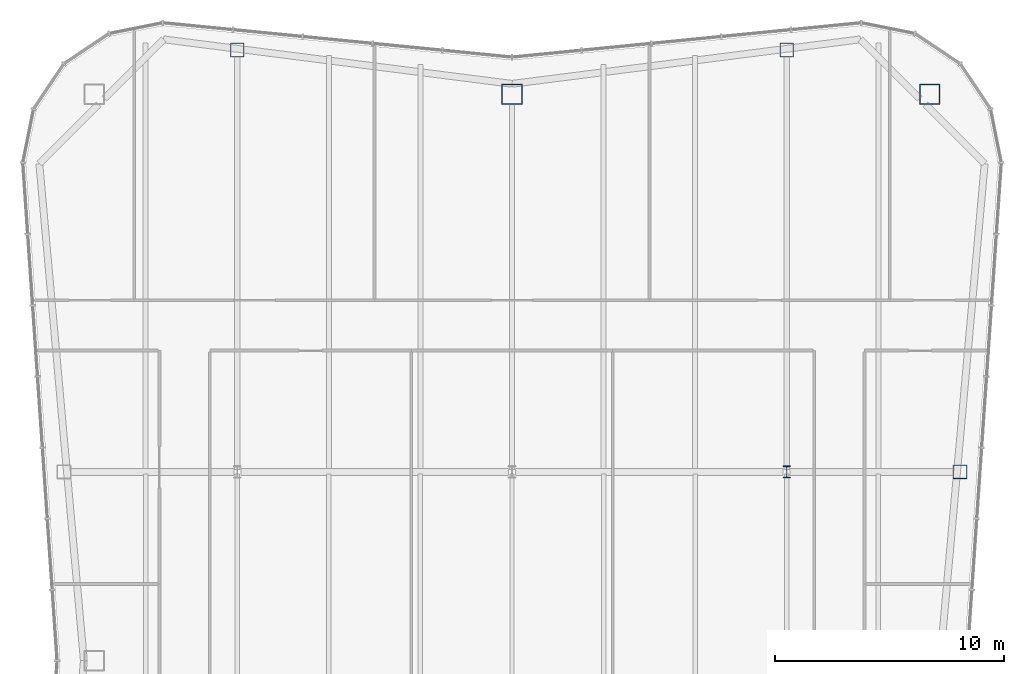
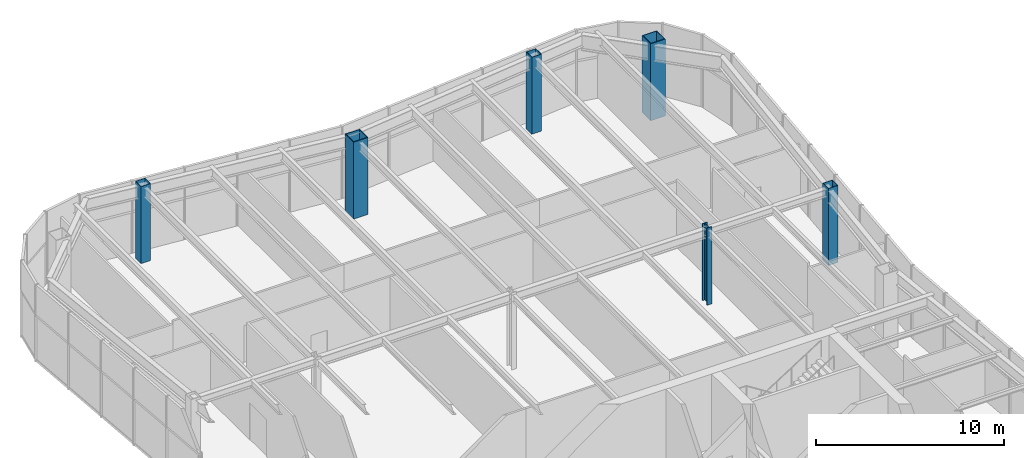
# One storey, part 2 of 13: 6 columns.
"""IFC4 building model written with IfcOpenShell, lengths in metres."""

from ifc_helpers import new_model, si_unit, direction, frame, origin, origin_2d, place, context, subcontext, project, spatial, hollow_rectangle, i_section, extrude, material, material_profile, profile_set, type_object, element, save


model = new_model("IFC4")

# Units and contexts
model_context = context("Model", 3, precision=1e-05, world=origin(), true_north=direction((0.0, 1.0)))
body_context = subcontext(model_context, "Body", "Model", "MODEL_VIEW")
ifc_project = project(units=[si_unit("LENGTHUNIT", "METRE"), si_unit("AREAUNIT", "SQUARE_METRE"), si_unit("VOLUMEUNIT", "CUBIC_METRE"), si_unit("PLANEANGLEUNIT", "RADIAN"), si_unit("MASSUNIT", "GRAM", prefix="KILO")], contexts=[model_context])

# Site, building, storey
site_placement = place(None, origin())
site = spatial("IfcSite", under=ifc_project, at=site_placement, CompositionType="ELEMENT")
building_placement = place(site_placement, origin())
building = spatial("IfcBuilding", under=site, at=building_placement, Name="Verdant Reach Tower", CompositionType="ELEMENT")
storey_placement = place(building_placement, frame((0.0, 0.0, 354.5)))
storey = spatial("IfcBuildingStorey", under=building, at=storey_placement, Name="L80 Plant", CompositionType="ELEMENT", Elevation=354.5)

# Columns
ifc_material = material(Name="Steel S460", Category="steel")
ifc_material_profile_1 = material_profile(ifc_material, i_section(OverallWidth=0.305908203125, OverallDepth=0.52392578125, WebThickness=0.012451171875, FlangeThickness=0.0400390625, FilletRadius=0.027099609375, at=origin_2d()), Name="HEM 500")
ifc_profile_set_1 = profile_set([ifc_material_profile_1], Name="Steel S460")
column_type_1 = type_object("IfcColumnType", Name="ST-COL-HEM500", PredefinedType="COLUMN", material=ifc_profile_set_1)
column_placement = place(storey_placement, frame((12.0, 49.5, 0.0), z_axis=(0.0, 0.0, 1.0), x_axis=(1.0, 0.0, 0.0)))
element("IfcColumn", 1, at=column_placement, inside=storey, type_object=column_type_1, Name="Interior column 3, L80 Plant", PredefinedType="COLUMN", context=body_context, shape_type="SweptSolid", body=[
    extrude(i_section(OverallWidth=0.305908203125, OverallDepth=0.52392578125, WebThickness=0.012451171875, FlangeThickness=0.0400390625, FilletRadius=0.027099609375, at=origin_2d()), origin(), (0.0, 0.0, 1.0), 5.0),
])
ifc_material_profile_2 = material_profile(ifc_material, hollow_rectangle(XDim=0.60009765625, YDim=0.60009765625, WallThickness=0.02490234375, at=origin_2d()), Name="WB 600x600x25")
ifc_profile_set_2 = profile_set([ifc_material_profile_2], Name="Steel S460")
column_type_2 = type_object("IfcColumnType", Name="ST-COL-WB600x600x25", PredefinedType="COLUMN", material=ifc_profile_set_2)
for number, where, z_axis, x_axis, name in (
    (2, (-12.0, 67.930419921875, 0.0), (0.0, 0.0, 1.0), (1.0, 0.0, 0.0), "Perimeter column north 1, L80 Plant"),
    (3, (12.0, 67.930419921875, 0.0), (0.0, 0.0, 1.0), (1.0, 0.0, 0.0), "Perimeter column north 2, L80 Plant"),
    (4, (19.569091796875, 49.5, 0.0), (0.0, 0.0, 1.0), (1.0, 0.0, 0.0), "Perimeter column east 2, L80 Plant"),
):
    element("IfcColumn", number, at=place(storey_placement, frame(where, z_axis=z_axis, x_axis=x_axis)), inside=storey, type_object=column_type_2, Name=name, PredefinedType="COLUMN", context=body_context, shape_type="SweptSolid", body=[
        extrude(hollow_rectangle(XDim=0.60009765625, YDim=0.60009765625, WallThickness=0.02490234375, at=origin_2d()), origin(), (0.0, 0.0, 1.0), 5.0),
    ])
ifc_material_profile_3 = material_profile(ifc_material, hollow_rectangle(XDim=0.89990234375, YDim=0.89990234375, WallThickness=0.0400390625, at=origin_2d()), Name="WB 900x900x40")
ifc_profile_set_3 = profile_set([ifc_material_profile_3], Name="Steel S460")
column_type_3 = type_object("IfcColumnType", Name="ST-COL-WB900x900x40", PredefinedType="COLUMN", material=ifc_profile_set_3)
for number, where, z_axis, x_axis, name in (
    (5, (0.0, 66.0, 0.0), (0.0, 0.0, 1.0), (1.0, 0.0, 0.0), "Mega column north, L80 Plant"),
    (6, (18.25, 66.0, 0.0), (0.0, 0.0, 1.0), (1.0, 0.0, 0.0), "Mega column north-east, L80 Plant"),
):
    element("IfcColumn", number, at=place(storey_placement, frame(where, z_axis=z_axis, x_axis=x_axis)), inside=storey, type_object=column_type_3, Name=name, PredefinedType="COLUMN", context=body_context, shape_type="SweptSolid", body=[
        extrude(hollow_rectangle(XDim=0.89990234375, YDim=0.89990234375, WallThickness=0.0400390625, at=origin_2d()), origin(), (0.0, 0.0, 1.0), 5.0),
    ])

save(model, "model.ifc")
